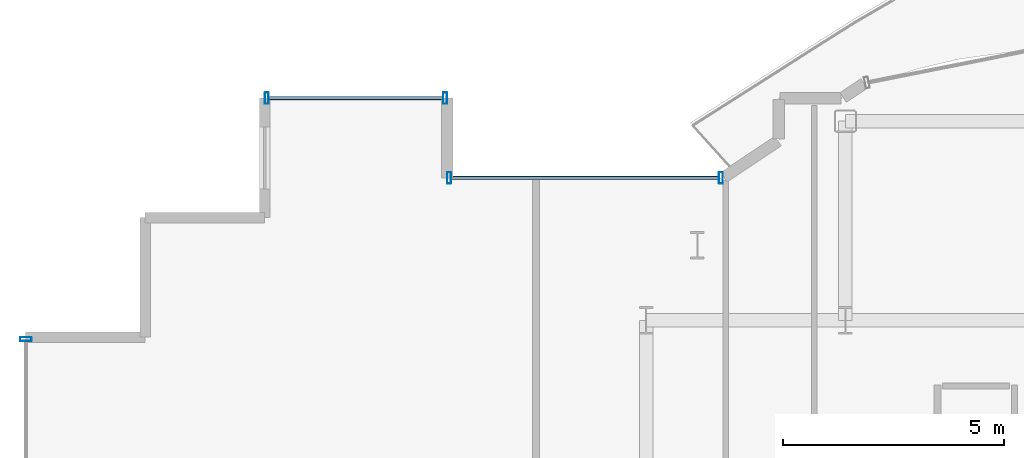
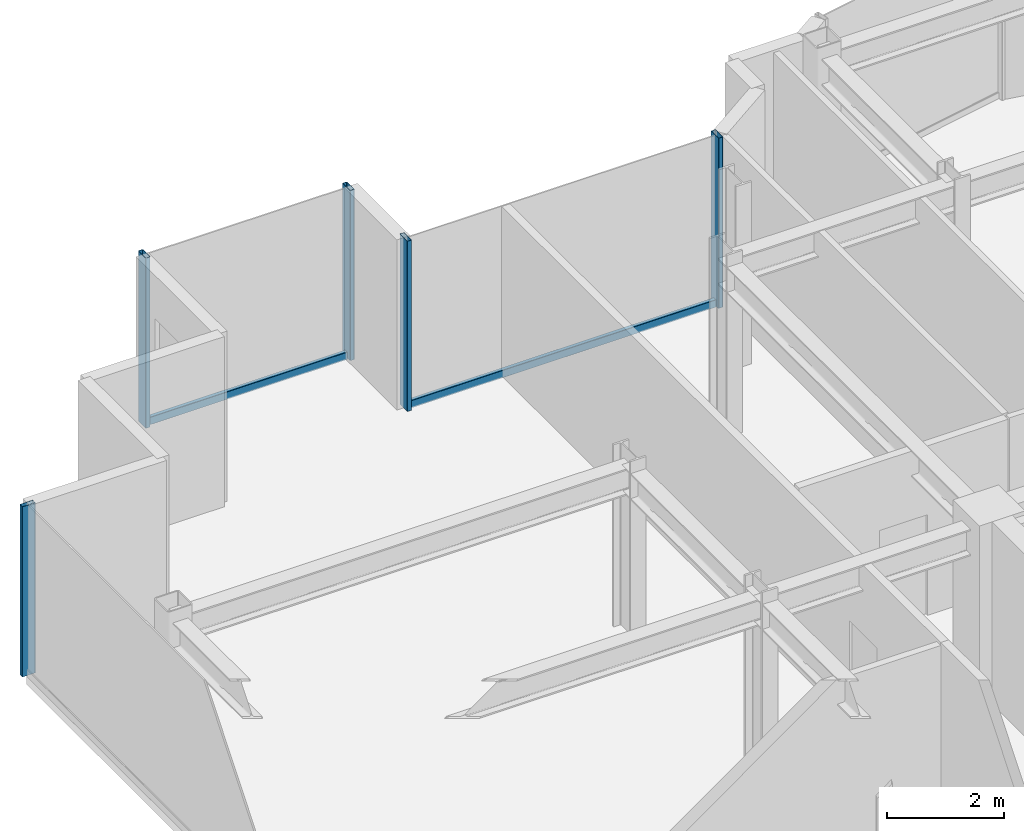
# One storey, part 9 of 18: 7 members, 3 elements without a shape of their own.
"""IFC4 building model written with IfcOpenShell, lengths in metres."""

from ifc_helpers import new_model, si_unit, direction, frame, origin, origin_2d, place, context, subcontext, project, spatial, hollow_rectangle, extrude, source, transform, mapped, material, layer, layer_set, material_profile, profile_set, type_object, element, aggregate, save


model = new_model("IFC4")

# Units and contexts
model_context = context("Model", 3, precision=1e-05, world=origin(), true_north=direction((0.0, 1.0)))
body_context = subcontext(model_context, "Body", "Model", "MODEL_VIEW")
ifc_project = project(units=[si_unit("LENGTHUNIT", "METRE"), si_unit("AREAUNIT", "SQUARE_METRE"), si_unit("VOLUMEUNIT", "CUBIC_METRE"), si_unit("PLANEANGLEUNIT", "RADIAN"), si_unit("MASSUNIT", "GRAM", prefix="KILO")], contexts=[model_context])

# Site, building, storey
site_placement = place(None, origin())
site = spatial("IfcSite", under=ifc_project, at=site_placement, CompositionType="ELEMENT")
building_placement = place(site_placement, origin())
building = spatial("IfcBuilding", under=site, at=building_placement, Name="Nefas-Gora Pilgrimage Tower", CompositionType="ELEMENT")
storey_placement = place(building_placement, frame((0.0, 0.0, 330.0)))
storey = spatial("IfcBuildingStorey", under=building, at=storey_placement, Name="L83", CompositionType="ELEMENT", Elevation=330.0)

# Curtain wall, members
ifc_material_1 = material(Name="Dark ceramic-fritted solar-control aluminium-glass curtain wall", Category="aluminium")
ifc_layer_1 = layer(ifc_material_1, 0.219970703125)
ifc_layer_set_1 = layer_set([ifc_layer_1], Name="Dark ceramic-fritted solar-control aluminium-glass curtain wall")
curtain_wall_type_1 = type_object("IfcCurtainWallType", Name="CW-SYS-5", PredefinedType="NOTDEFINED", material=ifc_layer_set_1)
curtain_wall_1_placement = place(storey_placement, origin())
curtain_wall_1 = element("IfcCurtainWall", 1, at=curtain_wall_1_placement, inside=storey, type_object=curtain_wall_type_1, Name="L83 Unitised Curtain Wall CW5", PredefinedType="NOTDEFINED")
ifc_material_2 = material(Name="Anodised architectural aluminium", Category="aluminium")
ifc_material_profile_1 = material_profile(ifc_material_2, hollow_rectangle(XDim=0.090087890625, YDim=0.260009765625, WallThickness=0.006103515625, InnerFilletRadius=0.006103515625, OuterFilletRadius=0.011962890625, at=origin_2d()), Name="ALU MULLION 90x260")
ifc_profile_set_1 = profile_set([ifc_material_profile_1], Name="Anodised architectural aluminium")
member_type_1 = type_object("IfcMemberType", Name="CWM-MUL-5", PredefinedType="MULLION", material=ifc_profile_set_1)
shared_shape_1 = source(origin(), body_context, "Body", "SweptSolid", [
    extrude(hollow_rectangle(XDim=0.090087890625, YDim=0.260009765625, WallThickness=0.006103515625, InnerFilletRadius=0.006103515625, OuterFilletRadius=0.011962890625, at=origin_2d()), origin(), (0.0, 0.0, 1.0), 3.550048828125),
])
member_1_placement = place(storey_placement, frame((-9.56298828125, 21.219970703125, 0.0), z_axis=(0.0, 0.0, 1.0), x_axis=(-1.0, 0.0, 0.0)))
member_1 = element("IfcMember", 2, at=member_1_placement, type_object=member_type_1, Name="CW5 Mullion 1", PredefinedType="MULLION", context=body_context, shape_type="MappedRepresentation", body=[
    mapped(shared_shape_1, transform((0.0, 0.0, 0.0), x_axis=(1.0, 0.0, 0.0), y_axis=(0.0, 1.0, 0.0), z_axis=(0.0, 0.0, 1.0), scale=1.0)),
])
member_2_placement = place(storey_placement, frame((-15.705078125, 21.219970703125, 0.0), z_axis=(0.0, 0.0, 1.0), x_axis=(-1.0, 0.0, 0.0)))
member_2 = element("IfcMember", 3, at=member_2_placement, type_object=member_type_1, Name="CW5 Mullion 2", PredefinedType="MULLION", context=body_context, shape_type="MappedRepresentation", body=[
    mapped(shared_shape_1, transform((0.0, 0.0, 0.0), x_axis=(1.0, 0.0, 0.0), y_axis=(0.0, 1.0, 0.0), z_axis=(0.0, 0.0, 1.0), scale=1.0)),
])
ifc_material_profile_2 = material_profile(ifc_material_2, hollow_rectangle(XDim=0.080078125, YDim=0.159912109375, WallThickness=0.00439453125, InnerFilletRadius=0.00439453125, OuterFilletRadius=0.009033203125, at=origin_2d()), Name="ALU TRANSOM 80x160")
ifc_profile_set_2 = profile_set([ifc_material_profile_2], Name="Anodised architectural aluminium")
member_type_2 = type_object("IfcMemberType", Name="CWM-TRN-5", PredefinedType="USERDEFINED", material=ifc_profile_set_2)
shared_shape_2 = source(origin(), body_context, "Body", "SweptSolid", [
    extrude(hollow_rectangle(XDim=0.080078125, YDim=0.159912109375, WallThickness=0.00439453125, InnerFilletRadius=0.00439453125, OuterFilletRadius=0.009033203125, at=origin_2d()), origin(), (0.0, 0.0, 1.0), 6.052001953125),
])
member_3_placement = place(storey_placement, frame((-9.60791015625, 21.219970703125, 0.050048828125), z_axis=(-1.0, 0.0, 0.0), x_axis=(0.0, -1.0, 0.0)))
member_3 = element("IfcMember", 4, at=member_3_placement, type_object=member_type_2, Name="CW5 Spandrel Transom", ObjectType="TRANSOM", PredefinedType="USERDEFINED", context=body_context, shape_type="MappedRepresentation", body=[
    mapped(shared_shape_2, transform((0.0, 0.0, 0.0), x_axis=(1.0, 0.0, 0.0), y_axis=(0.0, 1.0, 0.0), z_axis=(0.0, 0.0, 1.0), scale=1.0)),
])
aggregate(curtain_wall_1, [member_1, member_2, member_3])

ifc_layer_2 = layer(ifc_material_1, 0.219970703125)
ifc_layer_set_2 = layer_set([ifc_layer_2], Name="Dark ceramic-fritted solar-control aluminium-glass curtain wall")
curtain_wall_type_2 = type_object("IfcCurtainWallType", Name="CW-SYS-4", PredefinedType="NOTDEFINED", material=ifc_layer_set_2)
curtain_wall_2_placement = place(storey_placement, origin())
curtain_wall_2 = element("IfcCurtainWall", 5, at=curtain_wall_2_placement, inside=storey, type_object=curtain_wall_type_2, Name="L83 Unitised Curtain Wall CW4", PredefinedType="NOTDEFINED")
ifc_material_profile_3 = material_profile(ifc_material_2, hollow_rectangle(XDim=0.080078125, YDim=0.159912109375, WallThickness=0.00439453125, InnerFilletRadius=0.00439453125, OuterFilletRadius=0.009033203125, at=origin_2d()), Name="ALU TRANSOM 80x160")
ifc_profile_set_3 = profile_set([ifc_material_profile_3], Name="Anodised architectural aluminium")
member_type_3 = type_object("IfcMemberType", Name="CWM-TRN-4", PredefinedType="USERDEFINED", material=ifc_profile_set_3)
shared_shape_3 = source(origin(), body_context, "Body", "SweptSolid", [
    extrude(hollow_rectangle(XDim=0.080078125, YDim=0.159912109375, WallThickness=0.00439453125, InnerFilletRadius=0.00439453125, OuterFilletRadius=0.009033203125, at=origin_2d()), origin(), (0.0, 0.0, 1.0), 3.93994140625),
])
member_4_placement = place(storey_placement, frame((-15.840087890625, 23.02001953125, 0.050048828125), z_axis=(-1.0, 0.0, 0.0), x_axis=(0.0, -1.0, 0.0)))
member_4 = element("IfcMember", 6, at=member_4_placement, type_object=member_type_3, Name="CW4 Spandrel Transom", ObjectType="TRANSOM", PredefinedType="USERDEFINED", context=body_context, shape_type="MappedRepresentation", body=[
    mapped(shared_shape_3, transform((0.0, 0.0, 0.0), x_axis=(1.0, 0.0, 0.0), y_axis=(0.0, 1.0, 0.0), z_axis=(0.0, 0.0, 1.0), scale=1.0)),
])
ifc_material_profile_4 = material_profile(ifc_material_2, hollow_rectangle(XDim=0.090087890625, YDim=0.260009765625, WallThickness=0.006103515625, InnerFilletRadius=0.006103515625, OuterFilletRadius=0.011962890625, at=origin_2d()), Name="ALU MULLION 90x260")
ifc_profile_set_4 = profile_set([ifc_material_profile_4], Name="Anodised architectural aluminium")
member_type_4 = type_object("IfcMemberType", Name="CWM-MUL-4", PredefinedType="MULLION", material=ifc_profile_set_4)
shared_shape_4 = source(origin(), body_context, "Body", "SweptSolid", [
    extrude(hollow_rectangle(XDim=0.090087890625, YDim=0.260009765625, WallThickness=0.006103515625, InnerFilletRadius=0.006103515625, OuterFilletRadius=0.011962890625, at=origin_2d()), origin(), (0.0, 0.0, 1.0), 3.550048828125),
])
member_5_placement = place(storey_placement, frame((-15.794921875, 23.02001953125, 0.0), z_axis=(0.0, 0.0, 1.0), x_axis=(-1.0, 0.0, 0.0)))
member_5 = element("IfcMember", 7, at=member_5_placement, type_object=member_type_4, Name="CW4 Mullion 1", PredefinedType="MULLION", context=body_context, shape_type="MappedRepresentation", body=[
    mapped(shared_shape_4, transform((0.0, 0.0, 0.0), x_axis=(1.0, 0.0, 0.0), y_axis=(0.0, 1.0, 0.0), z_axis=(0.0, 0.0, 1.0), scale=1.0)),
])
member_6_placement = place(storey_placement, frame((-19.824951171875, 23.02001953125, 0.0), z_axis=(0.0, 0.0, 1.0), x_axis=(-1.0, 0.0, 0.0)))
member_6 = element("IfcMember", 8, at=member_6_placement, type_object=member_type_4, Name="CW4 Mullion 2", PredefinedType="MULLION", context=body_context, shape_type="MappedRepresentation", body=[
    mapped(shared_shape_4, transform((0.0, 0.0, 0.0), x_axis=(1.0, 0.0, 0.0), y_axis=(0.0, 1.0, 0.0), z_axis=(0.0, 0.0, 1.0), scale=1.0)),
])
aggregate(curtain_wall_2, [member_5, member_6, member_4])

# Curtain wall, member
curtain_wall_3_placement = place(storey_placement, origin())
curtain_wall_3 = element("IfcCurtainWall", 9, at=curtain_wall_3_placement, inside=storey, type_object=curtain_wall_type_2, Name="L83 Unitised Curtain Wall CW4", PredefinedType="NOTDEFINED")
member_7_placement = place(storey_placement, frame((-25.27001953125, 17.574951171875, 0.0), z_axis=(0.0, 0.0, 1.0), x_axis=(0.0, -1.0, 0.0)))
member_7 = element("IfcMember", 10, at=member_7_placement, type_object=member_type_4, Name="CW4 Mullion 1", PredefinedType="MULLION", context=body_context, shape_type="MappedRepresentation", body=[
    mapped(shared_shape_4, transform((0.0, 0.0, 0.0), x_axis=(1.0, 0.0, 0.0), y_axis=(0.0, 1.0, 0.0), z_axis=(0.0, 0.0, 1.0), scale=1.0)),
])
aggregate(curtain_wall_3, [member_7])

save(model, "model.ifc")
